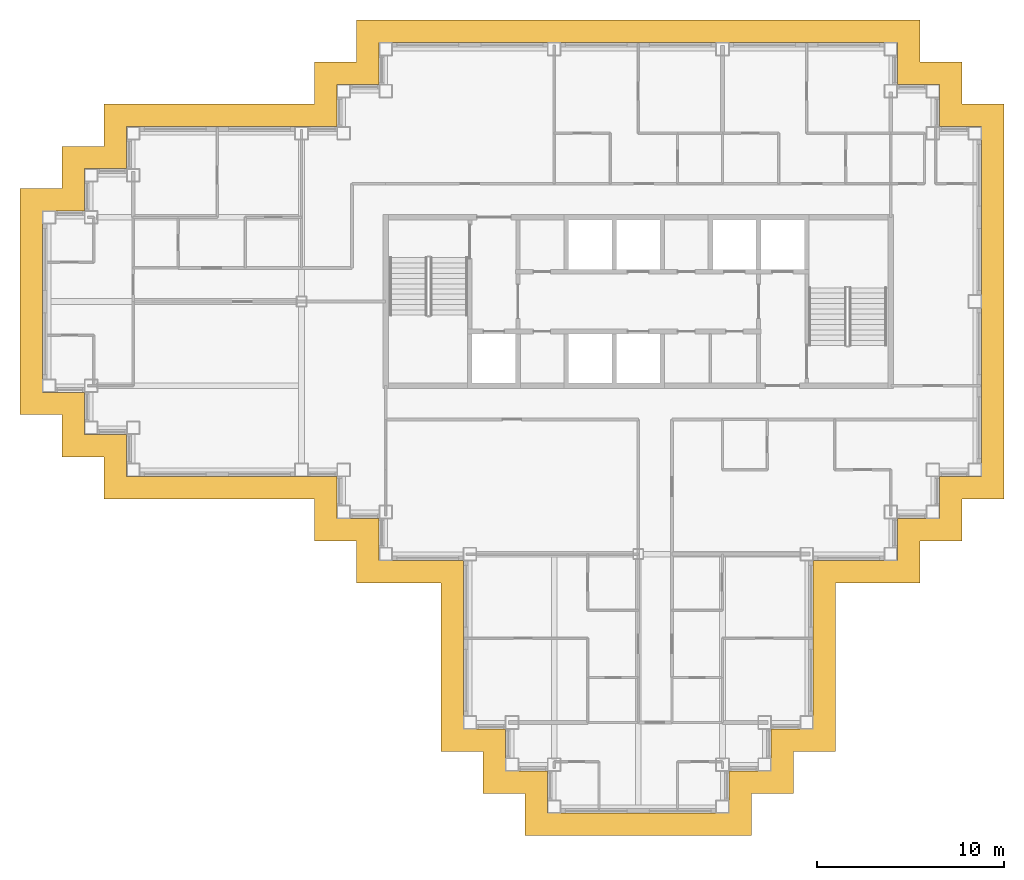
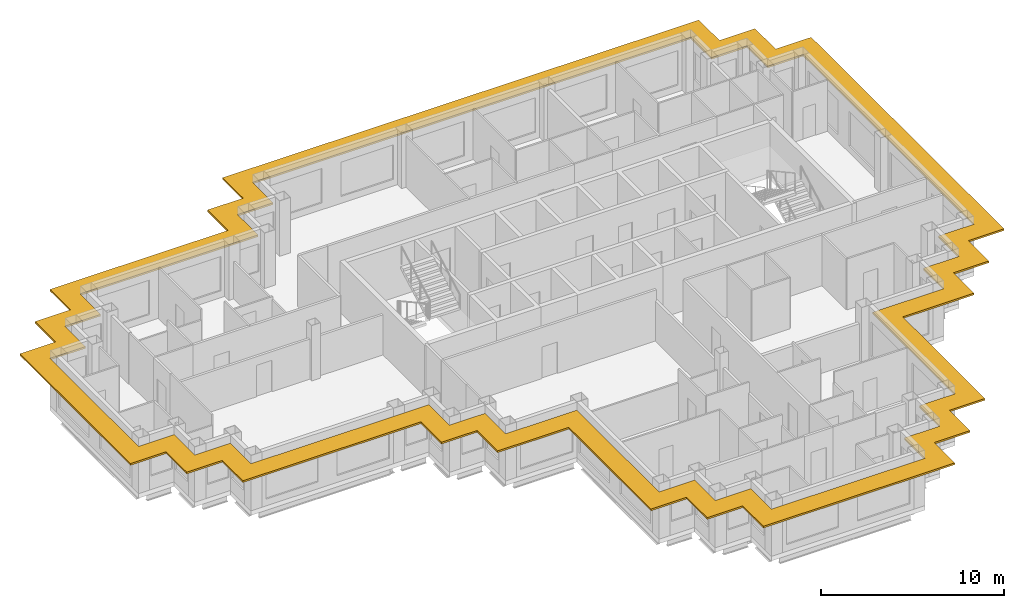
# One storey, part 11 of 12: 1 shading device.
"""IFC4 building model written with IfcOpenShell, lengths in metres."""

from ifc_helpers import new_model, si_unit, direction, frame, origin, place, context, subcontext, project, spatial, polyline, outline, extrude, material, layer, layer_set, type_object, element, save


model = new_model("IFC4")

# Units and contexts
model_context = context("Model", 3, precision=1e-05, world=origin(), true_north=direction((0.0, 1.0)))
body_context = subcontext(model_context, "Body", "Model", "MODEL_VIEW")
ifc_project = project(units=[si_unit("LENGTHUNIT", "METRE"), si_unit("AREAUNIT", "SQUARE_METRE"), si_unit("VOLUMEUNIT", "CUBIC_METRE"), si_unit("PLANEANGLEUNIT", "RADIAN"), si_unit("MASSUNIT", "GRAM", prefix="KILO")], contexts=[model_context])

# Site, building, storey
site_placement = place(None, origin())
site = spatial("IfcSite", under=ifc_project, at=site_placement, CompositionType="ELEMENT")
building_placement = place(site_placement, origin())
building = spatial("IfcBuilding", under=site, at=building_placement, Name="Caravel Reach Hotel and Residences", CompositionType="ELEMENT")
storey_placement = place(building_placement, frame((0.0, 0.0, 199.800048828125)))
storey = spatial("IfcBuildingStorey", under=building, at=storey_placement, Name="L50", CompositionType="ELEMENT", Elevation=199.800048828125)

# Shading device
ifc_material = material(Name="Black powder-coated aluminium", Category="aluminium")
ifc_layer = layer(ifc_material, 0.1201171875)
ifc_layer_set = layer_set([ifc_layer], Name="SS1 Sunshade band 1200")
shading_device_type = type_object("IfcShadingDeviceType", Name="SS1 Sunshade band 1200", PredefinedType="USERDEFINED", material=ifc_layer_set)
shading_device_placement = place(storey_placement, frame((0.0, 0.0, 3.0400390625)))
element("IfcShadingDevice", 1, at=shading_device_placement, inside=storey, type_object=shading_device_type, Name="Sunshade L50 1", ObjectType="SUNSHADE", PredefinedType="USERDEFINED", context=body_context, shape_type="SweptSolid", body=[
    extrude(outline(polyline([(42.050048828125, 2.949951171875), (42.050048828125, 11.949951171875), (46.550048828125, 11.949951171875), (46.550048828125, 14.199951171875), (48.800048828125, 14.199951171875), (48.800048828125, 16.449951171875), (51.050048828125, 16.449951171875), (51.050048828125, 37.550048828125), (48.800048828125, 37.550048828125), (48.800048828125, 39.800048828125), (46.550048828125, 39.800048828125), (46.550048828125, 42.050048828125), (16.449951171875, 42.050048828125), (16.449951171875, 39.800048828125), (14.199951171875, 39.800048828125), (14.199951171875, 37.550048828125), (2.949951171875, 37.550048828125), (2.949951171875, 35.300048828125), (0.699951171875, 35.300048828125), (0.699951171875, 33.050048828125), (-1.550048828125, 33.050048828125), (-1.550048828125, 20.949951171875), (0.699951171875, 20.949951171875), (0.699951171875, 18.699951171875), (2.949951171875, 18.699951171875), (2.949951171875, 16.449951171875), (14.199951171875, 16.449951171875), (14.199951171875, 14.199951171875), (16.449951171875, 14.199951171875), (16.449951171875, 11.949951171875), (20.949951171875, 11.949951171875), (20.949951171875, 2.949951171875), (23.199951171875, 2.949951171875), (23.199951171875, 0.699951171875), (25.449951171875, 0.699951171875), (25.449951171875, -1.550048828125), (37.550048828125, -1.550048828125), (37.550048828125, 0.699951171875), (39.800048828125, 0.699951171875), (39.800048828125, 2.949951171875), (42.050048828125, 2.949951171875)]), holes=[polyline([(45.35009765625, 13.14990234375), (40.85009765625, 13.14990234375), (40.85009765625, 4.14990234375), (38.60009765625, 4.14990234375), (38.60009765625, 1.89990234375), (36.35009765625, 1.89990234375), (36.35009765625, -0.35009765625), (26.64990234375, -0.35009765625), (26.64990234375, 1.89990234375), (24.39990234375, 1.89990234375), (24.39990234375, 4.14990234375), (22.14990234375, 4.14990234375), (22.14990234375, 13.14990234375), (17.64990234375, 13.14990234375), (17.64990234375, 15.39990234375), (15.39990234375, 15.39990234375), (15.39990234375, 17.64990234375), (4.14990234375, 17.64990234375), (4.14990234375, 19.89990234375), (1.89990234375, 19.89990234375), (1.89990234375, 22.14990234375), (-0.35009765625, 22.14990234375), (-0.35009765625, 31.85009765625), (1.89990234375, 31.85009765625), (1.89990234375, 34.10009765625), (4.14990234375, 34.10009765625), (4.14990234375, 36.35009765625), (15.39990234375, 36.35009765625), (15.39990234375, 38.60009765625), (17.64990234375, 38.60009765625), (17.64990234375, 40.85009765625), (45.35009765625, 40.85009765625), (45.35009765625, 38.60009765625), (47.60009765625, 38.60009765625), (47.60009765625, 36.35009765625), (49.85009765625, 36.35009765625), (49.85009765625, 17.64990234375), (47.60009765625, 17.64990234375), (47.60009765625, 15.39990234375), (45.35009765625, 15.39990234375), (45.35009765625, 13.14990234375)])]), origin(), (0.0, 0.0, 1.0), 0.119873046875),
])

save(model, "model.ifc")
